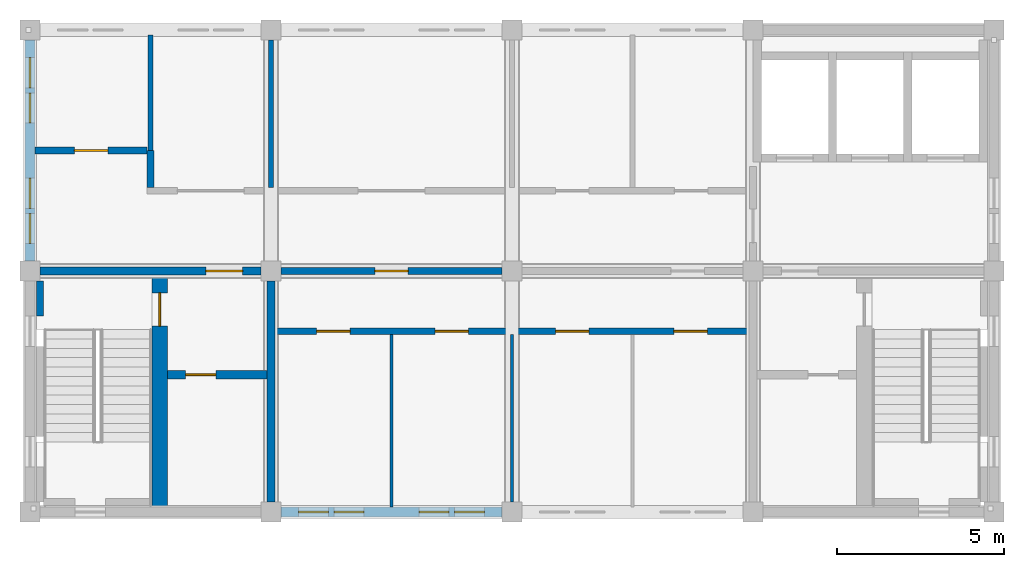
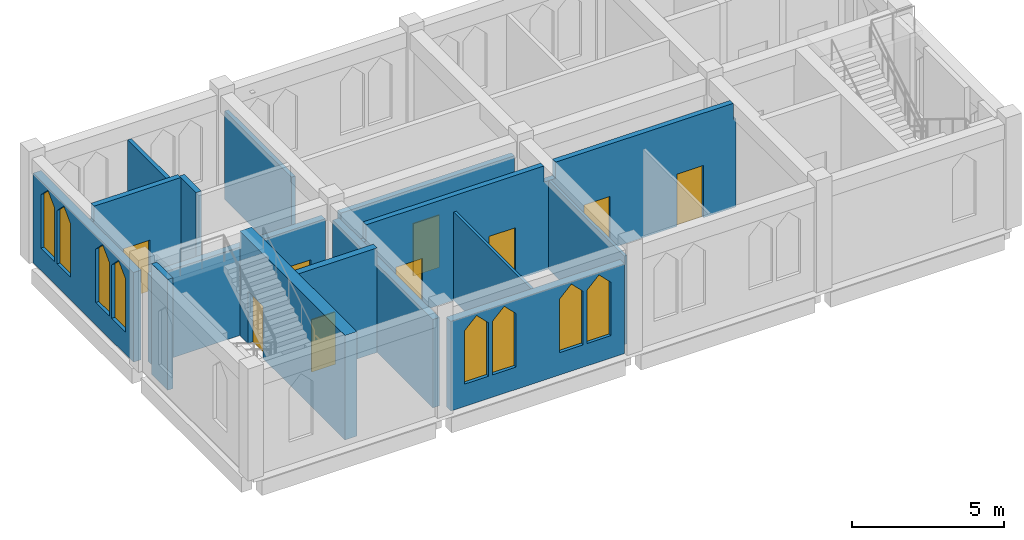
# One storey, part 2 of 6: 15 walls, 9 doors, 8 windows, 17 openings.
"""IFC4 building model written with IfcOpenShell, lengths in metres."""

from ifc_helpers import new_model, si_unit, direction, frame, frame_2d, origin, place, context, subcontext, project, spatial, polyline, rectangle, outline, extrude, material, layer, layer_set, type_object, element, fill, save


model = new_model("IFC4")

# Units and contexts
model_context = context("Model", 3, precision=1e-05, world=origin(), true_north=direction((0.0, 1.0)))
body_context = subcontext(model_context, "Body", "Model", "MODEL_VIEW")
ifc_project = project(units=[si_unit("LENGTHUNIT", "METRE"), si_unit("AREAUNIT", "SQUARE_METRE"), si_unit("VOLUMEUNIT", "CUBIC_METRE"), si_unit("PLANEANGLEUNIT", "RADIAN"), si_unit("MASSUNIT", "GRAM", prefix="KILO")], contexts=[model_context])

# Site, building, storey
site_placement = place(None, origin())
site = spatial("IfcSite", under=ifc_project, at=site_placement, CompositionType="ELEMENT")
building_placement = place(site_placement, origin())
building = spatial("IfcBuilding", under=site, at=building_placement, Name="Silangan Lancet Faculty of Sciences", CompositionType="ELEMENT")
storey_placement = place(building_placement, frame((0.0, 0.0, 76.800048828125)))
storey = spatial("IfcBuildingStorey", under=building, at=storey_placement, Name="L16", CompositionType="ELEMENT", Elevation=76.800048828125)

# Wall, openings, windows
ifc_material_1 = material(Name="Concrete C40/50", Category="concrete")
ifc_layer_1 = layer(ifc_material_1, 0.300048828125)
ifc_layer_set_1 = layer_set([ifc_layer_1], Name="Concrete C40/50")
wall_type_1 = type_object("IfcWallType", Name="EW7 Rendered attic wall", PredefinedType="STANDARD", material=ifc_layer_set_1)
wall_1_placement = place(storey_placement, frame((0.0, 7.5, 0.0), z_axis=(0.0, 0.0, 1.0), x_axis=(0.0, 1.0, 0.0)))
wall_1 = element("IfcWall", 1, at=wall_1_placement, inside=storey, type_object=wall_type_1, Name="EW-L16-W-ST-U-01", PredefinedType="STANDARD", context=body_context, shape_type="SweptSolid", body=[
    extrude(rectangle(XDim=6.60009765625, YDim=0.300048828125, at=frame_2d((3.300048828125, 0.0))), origin(), (0.0, 0.0, 1.0), 3.599853515625),
])
opening_1_placement = place(wall_1_placement, frame((0.52490234375, 0.0, 0.89990234375)))
opening_1 = element("IfcOpeningElement", 2, at=opening_1_placement, cuts=wall_1, Name="Opening W25", PredefinedType="OPENING", context=body_context, shape_type="SweptSolid", body=[
    extrude(outline(polyline([(0.0, 0.0), (0.89990234375, 0.0), (0.89990234375, 2.150146484375), (0.449951171875, 2.60009765625), (0.0, 2.150146484375), (0.0, 0.0)])), frame((0.0, 0.159912109375, 0.0), z_axis=(0.0, -1.0, 0.0), x_axis=(1.0, 0.0, 0.0)), (0.0, 0.0, 1.0), 0.320068359375),
])
opening_2_placement = place(wall_1_placement, frame((1.574951171875, 0.0, 0.89990234375)))
opening_2 = element("IfcOpeningElement", 3, at=opening_2_placement, cuts=wall_1, Name="Opening W25", PredefinedType="OPENING", context=body_context, shape_type="SweptSolid", body=[
    extrude(outline(polyline([(0.0, 0.0), (0.89990234375, 0.0), (0.89990234375, 2.150146484375), (0.449951171875, 2.60009765625), (0.0, 2.150146484375), (0.0, 0.0)])), frame((0.0, 0.159912109375, 0.0), z_axis=(0.0, -1.0, 0.0), x_axis=(1.0, 0.0, 0.0)), (0.0, 0.0, 1.0), 0.320068359375),
])
opening_3_placement = place(wall_1_placement, frame((4.125, 0.0, 0.89990234375)))
opening_3 = element("IfcOpeningElement", 4, at=opening_3_placement, cuts=wall_1, Name="Opening W25", PredefinedType="OPENING", context=body_context, shape_type="SweptSolid", body=[
    extrude(outline(polyline([(0.0, 0.0), (0.89990234375, 0.0), (0.89990234375, 2.150146484375), (0.449951171875, 2.60009765625), (0.0, 2.150146484375), (0.0, 0.0)])), frame((0.0, 0.159912109375, 0.0), z_axis=(0.0, -1.0, 0.0), x_axis=(1.0, 0.0, 0.0)), (0.0, 0.0, 1.0), 0.320068359375),
])
opening_4_placement = place(wall_1_placement, frame((5.175048828125, 0.0, 0.89990234375)))
opening_4 = element("IfcOpeningElement", 5, at=opening_4_placement, cuts=wall_1, Name="Opening W25", PredefinedType="OPENING", context=body_context, shape_type="SweptSolid", body=[
    extrude(outline(polyline([(0.0, 0.0), (0.89990234375, 0.0), (0.89990234375, 2.150146484375), (0.449951171875, 2.60009765625), (0.0, 2.150146484375), (0.0, 0.0)])), frame((0.0, 0.159912109375, 0.0), z_axis=(0.0, -1.0, 0.0), x_axis=(1.0, 0.0, 0.0)), (0.0, 0.0, 1.0), 0.320068359375),
])
ifc_material_2 = material(Name="Aluminium frame, laminated double glazing", Category="aluminium")
window_type = type_object("IfcWindowType", Name="W25 Lancet window 900 x 2600", PartitioningType="SINGLE_PANEL", PredefinedType="WINDOW", material=ifc_material_2)
window_1_placement = place(opening_1_placement, origin())
window_1 = element("IfcWindow", 6, at=window_1_placement, inside=storey, type_object=window_type, Name="WIN-L16-W-ST-U-01a1", OverallHeight=2.60009765625, OverallWidth=0.89990234375, PartitioningType="SINGLE_PANEL", PredefinedType="WINDOW", context=body_context, shape_type="SweptSolid", body=[
    extrude(outline(polyline([(0.0, 0.0), (0.89990234375, 0.0), (0.89990234375, 2.150146484375), (0.449951171875, 2.60009765625), (0.0, 2.150146484375), (0.0, 0.0)])), frame((0.0, 0.030029296875, 0.0), z_axis=(0.0, -1.0, 0.0), x_axis=(1.0, 0.0, 0.0)), (0.0, 0.0, 1.0), 0.06005859375),
])
fill(opening_1, window_1)
window_2_placement = place(opening_2_placement, origin())
window_2 = element("IfcWindow", 7, at=window_2_placement, inside=storey, type_object=window_type, Name="WIN-L16-W-ST-U-01a2", OverallHeight=2.60009765625, OverallWidth=0.89990234375, PartitioningType="SINGLE_PANEL", PredefinedType="WINDOW", context=body_context, shape_type="SweptSolid", body=[
    extrude(outline(polyline([(0.0, 0.0), (0.89990234375, 0.0), (0.89990234375, 2.150146484375), (0.449951171875, 2.60009765625), (0.0, 2.150146484375), (0.0, 0.0)])), frame((0.0, 0.030029296875, 0.0), z_axis=(0.0, -1.0, 0.0), x_axis=(1.0, 0.0, 0.0)), (0.0, 0.0, 1.0), 0.06005859375),
])
fill(opening_2, window_2)
window_3_placement = place(opening_3_placement, origin())
window_3 = element("IfcWindow", 8, at=window_3_placement, inside=storey, type_object=window_type, Name="WIN-L16-W-ST-U-01b1", OverallHeight=2.60009765625, OverallWidth=0.89990234375, PartitioningType="SINGLE_PANEL", PredefinedType="WINDOW", context=body_context, shape_type="SweptSolid", body=[
    extrude(outline(polyline([(0.0, 0.0), (0.89990234375, 0.0), (0.89990234375, 2.150146484375), (0.449951171875, 2.60009765625), (0.0, 2.150146484375), (0.0, 0.0)])), frame((0.0, 0.030029296875, 0.0), z_axis=(0.0, -1.0, 0.0), x_axis=(1.0, 0.0, 0.0)), (0.0, 0.0, 1.0), 0.06005859375),
])
fill(opening_3, window_3)
window_4_placement = place(opening_4_placement, origin())
window_4 = element("IfcWindow", 9, at=window_4_placement, inside=storey, type_object=window_type, Name="WIN-L16-W-ST-U-01b2", OverallHeight=2.60009765625, OverallWidth=0.89990234375, PartitioningType="SINGLE_PANEL", PredefinedType="WINDOW", context=body_context, shape_type="SweptSolid", body=[
    extrude(outline(polyline([(0.0, 0.0), (0.89990234375, 0.0), (0.89990234375, 2.150146484375), (0.449951171875, 2.60009765625), (0.0, 2.150146484375), (0.0, 0.0)])), frame((0.0, 0.030029296875, 0.0), z_axis=(0.0, -1.0, 0.0), x_axis=(1.0, 0.0, 0.0)), (0.0, 0.0, 1.0), 0.06005859375),
])
fill(opening_4, window_4)

wall_2_placement = place(storey_placement, frame((7.5, 0.0, 0.0), z_axis=(0.0, 0.0, 1.0), x_axis=(1.0, 0.0, 0.0)))
wall_2 = element("IfcWall", 10, at=wall_2_placement, inside=storey, type_object=wall_type_1, Name="EW-L16-S-ST-01", PredefinedType="STANDARD", context=body_context, shape_type="SweptSolid", body=[
    extrude(rectangle(XDim=6.60009765625, YDim=0.300048828125, at=frame_2d((3.300048828125, 0.0))), origin(), (0.0, 0.0, 1.0), 3.599853515625),
])
opening_5_placement = place(wall_2_placement, frame((0.52490234375, 0.0, 0.89990234375)))
opening_5 = element("IfcOpeningElement", 11, at=opening_5_placement, cuts=wall_2, Name="Opening W25", PredefinedType="OPENING", context=body_context, shape_type="SweptSolid", body=[
    extrude(outline(polyline([(0.0, 0.0), (0.89990234375, 0.0), (0.89990234375, 2.150146484375), (0.449951171875, 2.60009765625), (0.0, 2.150146484375), (0.0, 0.0)])), frame((0.0, 0.159912109375, 0.0), z_axis=(0.0, -1.0, 0.0), x_axis=(1.0, 0.0, 0.0)), (0.0, 0.0, 1.0), 0.320068359375),
])
opening_6_placement = place(wall_2_placement, frame((1.574951171875, 0.0, 0.89990234375)))
opening_6 = element("IfcOpeningElement", 12, at=opening_6_placement, cuts=wall_2, Name="Opening W25", PredefinedType="OPENING", context=body_context, shape_type="SweptSolid", body=[
    extrude(outline(polyline([(0.0, 0.0), (0.89990234375, 0.0), (0.89990234375, 2.150146484375), (0.449951171875, 2.60009765625), (0.0, 2.150146484375), (0.0, 0.0)])), frame((0.0, 0.159912109375, 0.0), z_axis=(0.0, -1.0, 0.0), x_axis=(1.0, 0.0, 0.0)), (0.0, 0.0, 1.0), 0.320068359375),
])
opening_7_placement = place(wall_2_placement, frame((4.125, 0.0, 0.89990234375)))
opening_7 = element("IfcOpeningElement", 13, at=opening_7_placement, cuts=wall_2, Name="Opening W25", PredefinedType="OPENING", context=body_context, shape_type="SweptSolid", body=[
    extrude(outline(polyline([(0.0, 0.0), (0.89990234375, 0.0), (0.89990234375, 2.150146484375), (0.449951171875, 2.60009765625), (0.0, 2.150146484375), (0.0, 0.0)])), frame((0.0, 0.159912109375, 0.0), z_axis=(0.0, -1.0, 0.0), x_axis=(1.0, 0.0, 0.0)), (0.0, 0.0, 1.0), 0.320068359375),
])
opening_8_placement = place(wall_2_placement, frame((5.175048828125, 0.0, 0.89990234375)))
opening_8 = element("IfcOpeningElement", 14, at=opening_8_placement, cuts=wall_2, Name="Opening W25", PredefinedType="OPENING", context=body_context, shape_type="SweptSolid", body=[
    extrude(outline(polyline([(0.0, 0.0), (0.89990234375, 0.0), (0.89990234375, 2.150146484375), (0.449951171875, 2.60009765625), (0.0, 2.150146484375), (0.0, 0.0)])), frame((0.0, 0.159912109375, 0.0), z_axis=(0.0, -1.0, 0.0), x_axis=(1.0, 0.0, 0.0)), (0.0, 0.0, 1.0), 0.320068359375),
])
window_5_placement = place(opening_5_placement, origin())
window_5 = element("IfcWindow", 15, at=window_5_placement, inside=storey, type_object=window_type, Name="WIN-L16-S-ST-01a1", OverallHeight=2.60009765625, OverallWidth=0.89990234375, PartitioningType="SINGLE_PANEL", PredefinedType="WINDOW", context=body_context, shape_type="SweptSolid", body=[
    extrude(outline(polyline([(0.0, 0.0), (0.89990234375, 0.0), (0.89990234375, 2.150146484375), (0.449951171875, 2.60009765625), (0.0, 2.150146484375), (0.0, 0.0)])), frame((0.0, 0.030029296875, 0.0), z_axis=(0.0, -1.0, 0.0), x_axis=(1.0, 0.0, 0.0)), (0.0, 0.0, 1.0), 0.06005859375),
])
fill(opening_5, window_5)
window_6_placement = place(opening_6_placement, origin())
window_6 = element("IfcWindow", 16, at=window_6_placement, inside=storey, type_object=window_type, Name="WIN-L16-S-ST-01a2", OverallHeight=2.60009765625, OverallWidth=0.89990234375, PartitioningType="SINGLE_PANEL", PredefinedType="WINDOW", context=body_context, shape_type="SweptSolid", body=[
    extrude(outline(polyline([(0.0, 0.0), (0.89990234375, 0.0), (0.89990234375, 2.150146484375), (0.449951171875, 2.60009765625), (0.0, 2.150146484375), (0.0, 0.0)])), frame((0.0, 0.030029296875, 0.0), z_axis=(0.0, -1.0, 0.0), x_axis=(1.0, 0.0, 0.0)), (0.0, 0.0, 1.0), 0.06005859375),
])
fill(opening_6, window_6)
window_7_placement = place(opening_7_placement, origin())
window_7 = element("IfcWindow", 17, at=window_7_placement, inside=storey, type_object=window_type, Name="WIN-L16-S-ST-01b1", OverallHeight=2.60009765625, OverallWidth=0.89990234375, PartitioningType="SINGLE_PANEL", PredefinedType="WINDOW", context=body_context, shape_type="SweptSolid", body=[
    extrude(outline(polyline([(0.0, 0.0), (0.89990234375, 0.0), (0.89990234375, 2.150146484375), (0.449951171875, 2.60009765625), (0.0, 2.150146484375), (0.0, 0.0)])), frame((0.0, 0.030029296875, 0.0), z_axis=(0.0, -1.0, 0.0), x_axis=(1.0, 0.0, 0.0)), (0.0, 0.0, 1.0), 0.06005859375),
])
fill(opening_7, window_7)
window_8_placement = place(opening_8_placement, origin())
window_8 = element("IfcWindow", 18, at=window_8_placement, inside=storey, type_object=window_type, Name="WIN-L16-S-ST-01b2", OverallHeight=2.60009765625, OverallWidth=0.89990234375, PartitioningType="SINGLE_PANEL", PredefinedType="WINDOW", context=body_context, shape_type="SweptSolid", body=[
    extrude(outline(polyline([(0.0, 0.0), (0.89990234375, 0.0), (0.89990234375, 2.150146484375), (0.449951171875, 2.60009765625), (0.0, 2.150146484375), (0.0, 0.0)])), frame((0.0, 0.030029296875, 0.0), z_axis=(0.0, -1.0, 0.0), x_axis=(1.0, 0.0, 0.0)), (0.0, 0.0, 1.0), 0.06005859375),
])
fill(opening_8, window_8)

# Wall, openings, doors
ifc_material_3 = material(Name="Hollow block masonry fm 7 MPa", Category="masonry")
ifc_layer_2 = layer(ifc_material_3, 0.199951171875)
ifc_layer_set_2 = layer_set([ifc_layer_2], Name="Hollow block masonry fm 7 MPa")
wall_type_2 = type_object("IfcWallType", Name="Interior wall PW1 Corridor wall CHB 200", PredefinedType="PARTITIONING", material=ifc_layer_set_2)
wall_3_placement = place(storey_placement, frame((7.324951171875, 5.39990234375, 0.0), z_axis=(0.0, 0.0, 1.0), x_axis=(1.0, 0.0, 0.0)))
wall_3 = element("IfcWall", 19, at=wall_3_placement, inside=storey, type_object=wall_type_2, Name="Corridor wall CHB 200", PredefinedType="PARTITIONING", context=body_context, shape_type="SweptSolid", body=[
    extrude(outline(polyline([(0.0, 0.0), (14.150146484375, 0.0), (14.150146484375, 3.550048828125), (14.050048828125, 3.550048828125), (14.050048828125, 4.199951171875), (7.300048828125, 4.199951171875), (7.300048828125, 3.550048828125), (6.85009765625, 3.550048828125), (6.85009765625, 4.199951171875), (0.10009765625, 4.199951171875), (0.10009765625, 3.550048828125), (0.0, 3.550048828125), (0.0, 0.0)])), frame((0.0, 0.10009765625, 0.0), z_axis=(0.0, -1.0, 0.0), x_axis=(1.0, 0.0, 0.0)), (0.0, 0.0, 1.0), 0.199951171875),
])
opening_9_placement = place(wall_3_placement, frame((1.237548828125, 0.0, 0.0)))
opening_9 = element("IfcOpeningElement", 20, at=opening_9_placement, cuts=wall_3, Name="Opening L16-004", PredefinedType="OPENING", context=body_context, shape_type="SweptSolid", body=[
    extrude(rectangle(XDim=1.0, YDim=2.10009765625, at=frame_2d((0.5, 1.050048828125))), frame((0.0, 0.10986328125, 0.0), z_axis=(0.0, -1.0, 0.0), x_axis=(1.0, 0.0, 0.0)), (0.0, 0.0, 1.0), 0.219970703125),
])
opening_10_placement = place(wall_3_placement, frame((4.77490234375, 0.0, 0.0)))
opening_10 = element("IfcOpeningElement", 21, at=opening_10_placement, cuts=wall_3, Name="Opening L16-005", PredefinedType="OPENING", context=body_context, shape_type="SweptSolid", body=[
    extrude(rectangle(XDim=1.0, YDim=2.10009765625, at=frame_2d((0.5, 1.050048828125))), frame((0.0, 0.10986328125, 0.0), z_axis=(0.0, -1.0, 0.0), x_axis=(1.0, 0.0, 0.0)), (0.0, 0.0, 1.0), 0.219970703125),
])
opening_11_placement = place(wall_3_placement, frame((8.375, 0.0, 0.0)))
opening_11 = element("IfcOpeningElement", 22, at=opening_11_placement, cuts=wall_3, Name="Opening L16-006", PredefinedType="OPENING", context=body_context, shape_type="SweptSolid", body=[
    extrude(rectangle(XDim=1.0, YDim=2.10009765625, at=frame_2d((0.5, 1.050048828125))), frame((0.0, 0.10986328125, 0.0), z_axis=(0.0, -1.0, 0.0), x_axis=(1.0, 0.0, 0.0)), (0.0, 0.0, 1.0), 0.219970703125),
])
opening_12_placement = place(wall_3_placement, frame((11.91259765625, 0.0, 0.0)))
opening_12 = element("IfcOpeningElement", 23, at=opening_12_placement, cuts=wall_3, Name="Opening L16-007", PredefinedType="OPENING", context=body_context, shape_type="SweptSolid", body=[
    extrude(rectangle(XDim=1.0, YDim=2.10009765625, at=frame_2d((0.5, 1.050048828125))), frame((0.0, 0.10986328125, 0.0), z_axis=(0.0, -1.0, 0.0), x_axis=(1.0, 0.0, 0.0)), (0.0, 0.0, 1.0), 0.219970703125),
])
ifc_material_4 = material(Name="Steel fire door set", Category="steel")
door_type_1 = type_object("IfcDoorType", Name="Door D1 Single leaf fire door 1000 x 2100", OperationType="SINGLE_SWING_LEFT", PredefinedType="DOOR", material=ifc_material_4)
door_1_placement = place(opening_9_placement, frame((1.0, 0.0, 0.0), z_axis=(0.0, 0.0, 1.0), x_axis=(-1.0, 0.0, 0.0)))
door_1 = element("IfcDoor", 24, at=door_1_placement, inside=storey, type_object=door_type_1, Name="Single leaf fire door 1000 x 2100", OperationType="SINGLE_SWING_LEFT", OverallHeight=2.10009765625, OverallWidth=1.0, PredefinedType="DOOR", context=body_context, shape_type="SweptSolid", body=[
    extrude(rectangle(XDim=1.0, YDim=2.10009765625, at=frame_2d((0.5, 1.050048828125))), frame((0.0, 0.025146484375, 0.0), z_axis=(0.0, -1.0, 0.0), x_axis=(1.0, 0.0, 0.0)), (0.0, 0.0, 1.0), 0.050048828125),
])
fill(opening_9, door_1)
door_2_placement = place(opening_10_placement, frame((1.0, 0.0, 0.0), z_axis=(0.0, 0.0, 1.0), x_axis=(-1.0, 0.0, 0.0)))
door_2 = element("IfcDoor", 25, at=door_2_placement, inside=storey, type_object=door_type_1, Name="Single leaf fire door 1000 x 2100", OperationType="SINGLE_SWING_RIGHT", OverallHeight=2.10009765625, OverallWidth=1.0, PredefinedType="DOOR", context=body_context, shape_type="SweptSolid", body=[
    extrude(rectangle(XDim=1.0, YDim=2.10009765625, at=frame_2d((0.5, 1.050048828125))), frame((0.0, 0.025146484375, 0.0), z_axis=(0.0, -1.0, 0.0), x_axis=(1.0, 0.0, 0.0)), (0.0, 0.0, 1.0), 0.050048828125),
])
fill(opening_10, door_2)
door_3_placement = place(opening_11_placement, frame((1.0, 0.0, 0.0), z_axis=(0.0, 0.0, 1.0), x_axis=(-1.0, 0.0, 0.0)))
door_3 = element("IfcDoor", 26, at=door_3_placement, inside=storey, type_object=door_type_1, Name="Single leaf fire door 1000 x 2100", OperationType="SINGLE_SWING_LEFT", OverallHeight=2.10009765625, OverallWidth=1.0, PredefinedType="DOOR", context=body_context, shape_type="SweptSolid", body=[
    extrude(rectangle(XDim=1.0, YDim=2.10009765625, at=frame_2d((0.5, 1.050048828125))), frame((0.0, 0.025146484375, 0.0), z_axis=(0.0, -1.0, 0.0), x_axis=(1.0, 0.0, 0.0)), (0.0, 0.0, 1.0), 0.050048828125),
])
fill(opening_11, door_3)
door_4_placement = place(opening_12_placement, frame((1.0, 0.0, 0.0), z_axis=(0.0, 0.0, 1.0), x_axis=(-1.0, 0.0, 0.0)))
door_4 = element("IfcDoor", 27, at=door_4_placement, inside=storey, type_object=door_type_1, Name="Single leaf fire door 1000 x 2100", OperationType="SINGLE_SWING_RIGHT", OverallHeight=2.10009765625, OverallWidth=1.0, PredefinedType="DOOR", context=body_context, shape_type="SweptSolid", body=[
    extrude(rectangle(XDim=1.0, YDim=2.10009765625, at=frame_2d((0.5, 1.050048828125))), frame((0.0, 0.025146484375, 0.0), z_axis=(0.0, -1.0, 0.0), x_axis=(1.0, 0.0, 0.0)), (0.0, 0.0, 1.0), 0.050048828125),
])
fill(opening_12, door_4)

# Wall, opening, door
wall_4_placement = place(storey_placement, frame((7.5, 7.199951171875, 0.0), z_axis=(0.0, 0.0, 1.0), x_axis=(1.0, 0.0, 0.0)))
wall_4 = element("IfcWall", 28, at=wall_4_placement, inside=storey, type_object=wall_type_2, Name="Corridor wall CHB 200", PredefinedType="PARTITIONING", context=body_context, shape_type="SweptSolid", body=[
    extrude(rectangle(XDim=6.60009765625, YDim=0.199951171875, at=frame_2d((3.300048828125, 0.0))), origin(), (0.0, 0.0, 1.0), 3.550048828125),
])
opening_13_placement = place(wall_4_placement, frame((2.800048828125, 0.0, 0.0)))
opening_13 = element("IfcOpeningElement", 29, at=opening_13_placement, cuts=wall_4, Name="Opening L16-002", PredefinedType="OPENING", context=body_context, shape_type="SweptSolid", body=[
    extrude(rectangle(XDim=1.0, YDim=2.10009765625, at=frame_2d((0.5, 1.050048828125))), frame((0.0, 0.10986328125, 0.0), z_axis=(0.0, -1.0, 0.0), x_axis=(1.0, 0.0, 0.0)), (0.0, 0.0, 1.0), 0.219970703125),
])
door_5_placement = place(opening_13_placement, frame((1.0, 0.0, 0.0), z_axis=(0.0, 0.0, 1.0), x_axis=(-1.0, 0.0, 0.0)))
door_5 = element("IfcDoor", 30, at=door_5_placement, inside=storey, type_object=door_type_1, Name="Single leaf fire door 1000 x 2100", OperationType="SINGLE_SWING_LEFT", OverallHeight=2.10009765625, OverallWidth=1.0, PredefinedType="DOOR", context=body_context, shape_type="SweptSolid", body=[
    extrude(rectangle(XDim=1.0, YDim=2.10009765625, at=frame_2d((0.5, 1.050048828125))), frame((0.0, 0.025146484375, 0.0), z_axis=(0.0, -1.0, 0.0), x_axis=(1.0, 0.0, 0.0)), (0.0, 0.0, 1.0), 0.050048828125),
])
fill(opening_13, door_5)

wall_5_placement = place(storey_placement, frame((0.14990234375, 10.800048828125, 0.0), z_axis=(0.0, 0.0, 1.0), x_axis=(1.0, 0.0, 0.0)))
wall_5 = element("IfcWall", 31, at=wall_5_placement, inside=storey, type_object=wall_type_2, Name="Corridor wall CHB 200", PredefinedType="PARTITIONING", context=body_context, shape_type="SweptSolid", body=[
    extrude(outline(polyline([(0.0, 0.0), (3.35009765625, 0.0), (3.35009765625, 4.199951171875), (0.050048828125, 4.199951171875), (0.050048828125, 3.599853515625), (0.0, 3.599853515625), (0.0, 0.0)])), frame((0.0, 0.10009765625, 0.0), z_axis=(0.0, -1.0, 0.0), x_axis=(1.0, 0.0, 0.0)), (0.0, 0.0, 1.0), 0.199951171875),
])
opening_14_placement = place(wall_5_placement, frame((1.175048828125, 0.0, 0.0)))
opening_14 = element("IfcOpeningElement", 32, at=opening_14_placement, cuts=wall_5, Name="Opening L16-009", PredefinedType="OPENING", context=body_context, shape_type="SweptSolid", body=[
    extrude(rectangle(XDim=1.0, YDim=2.10009765625, at=frame_2d((0.5, 1.050048828125))), frame((0.0, 0.10986328125, 0.0), z_axis=(0.0, -1.0, 0.0), x_axis=(1.0, 0.0, 0.0)), (0.0, 0.0, 1.0), 0.219970703125),
])
door_6_placement = place(opening_14_placement, origin())
door_6 = element("IfcDoor", 33, at=door_6_placement, inside=storey, type_object=door_type_1, Name="Single leaf fire door 1000 x 2100", OperationType="SINGLE_SWING_LEFT", OverallHeight=2.10009765625, OverallWidth=1.0, PredefinedType="DOOR", context=body_context, shape_type="SweptSolid", body=[
    extrude(rectangle(XDim=1.0, YDim=2.10009765625, at=frame_2d((0.5, 1.050048828125))), frame((0.0, 0.02490234375, 0.0), z_axis=(0.0, -1.0, 0.0), x_axis=(1.0, 0.0, 0.0)), (0.0, 0.0, 1.0), 0.050048828125),
])
fill(opening_14, door_6)

# Walls
wall_6_placement = place(storey_placement, frame((3.60009765625, 9.699951171875, 0.0), z_axis=(0.0, 0.0, 1.0), x_axis=(0.0, 1.0, 0.0)))
element("IfcWall", 34, at=wall_6_placement, inside=storey, type_object=wall_type_2, Name="Corridor wall CHB 200", PredefinedType="PARTITIONING", context=body_context, shape_type="SweptSolid", body=[
    extrude(rectangle(XDim=1.10009765625, YDim=0.199951171875, at=frame_2d((0.550048828125, 0.0))), origin(), (0.0, 0.0, 1.0), 4.199951171875),
])
ifc_material_5 = material(Name="Hollow block masonry fm 7 MPa", Category="masonry")
ifc_layer_3 = layer(ifc_material_5, 0.14990234375)
ifc_layer_set_3 = layer_set([ifc_layer_3], Name="Hollow block masonry fm 7 MPa")
wall_type_3 = type_object("IfcWallType", Name="Interior wall PW3 Partition CHB 150", PredefinedType="PARTITIONING", material=ifc_layer_set_3)
wall_7_placement = place(storey_placement, frame((3.60009765625, 10.800048828125, 0.0), z_axis=(0.0, 0.0, 1.0), x_axis=(0.0, 1.0, 0.0)))
element("IfcWall", 35, at=wall_7_placement, inside=storey, type_object=wall_type_3, Name="Partition CHB 150", PredefinedType="PARTITIONING", context=body_context, shape_type="SweptSolid", body=[
    extrude(rectangle(XDim=3.449951171875, YDim=0.14990234375, at=frame_2d((1.72509765625, 0.0))), origin(), (0.0, 0.0, 1.0), 3.550048828125),
])
wall_8_placement = place(storey_placement, frame((7.199951171875, 9.699951171875, 0.0), z_axis=(0.0, 0.0, 1.0), x_axis=(0.0, 1.0, 0.0)))
element("IfcWall", 36, at=wall_8_placement, inside=storey, type_object=wall_type_3, Name="Partition CHB 150", PredefinedType="PARTITIONING", context=body_context, shape_type="SweptSolid", body=[
    extrude(rectangle(XDim=4.400146484375, YDim=0.14990234375, at=frame_2d((2.2001953125, 0.0))), origin(), (0.0, 0.0, 1.0), 3.550048828125),
])
ifc_material_6 = material(Name="Hollow block masonry fm 7 MPa", Category="masonry")
ifc_layer_4 = layer(ifc_material_6, 0.10009765625)
ifc_layer_set_4 = layer_set([ifc_layer_4], Name="Hollow block masonry fm 7 MPa")
wall_type_4 = type_object("IfcWallType", Name="Interior wall PW8 WC partition CHB 100", PredefinedType="PARTITIONING", material=ifc_layer_set_4)
wall_9_placement = place(storey_placement, frame((10.800048828125, 0.14990234375, 0.0), z_axis=(0.0, 0.0, 1.0), x_axis=(0.0, 1.0, 0.0)))
element("IfcWall", 37, at=wall_9_placement, inside=storey, type_object=wall_type_4, Name="WC partition CHB 100", PredefinedType="PARTITIONING", context=body_context, shape_type="SweptSolid", body=[
    extrude(rectangle(XDim=5.150146484375, YDim=0.10009765625, at=frame_2d((2.5751953125, 0.0))), origin(), (0.0, 0.0, 1.0), 3.550048828125),
])
wall_10_placement = place(storey_placement, frame((14.39990234375, 0.300048828125, 0.0), z_axis=(0.0, 0.0, 1.0), x_axis=(0.0, 1.0, 0.0)))
element("IfcWall", 38, at=wall_10_placement, inside=storey, type_object=wall_type_4, Name="WC partition CHB 100", PredefinedType="PARTITIONING", context=body_context, shape_type="SweptSolid", body=[
    extrude(rectangle(XDim=5.0, YDim=0.10009765625, at=frame_2d((2.5, 0.0))), origin(), (0.0, 0.0, 1.0), 3.550048828125),
])

# Wall, opening, door
ifc_material_7 = material(Name="Concrete C40/50", Category="concrete")
ifc_layer_5 = layer(ifc_material_7, 0.449951171875)
ifc_layer_set_5 = layer_set([ifc_layer_5], Name="Concrete C40/50")
wall_type_5 = type_object("IfcWallType", Name="TURRET CORE WALL RC 450", PredefinedType="SHEAR", material=ifc_layer_set_5)
wall_11_placement = place(storey_placement, frame((3.875, 0.14990234375, 0.0), z_axis=(0.0, 0.0, 1.0), x_axis=(0.0, 1.0, 0.0)))
wall_11 = element("IfcWall", 39, at=wall_11_placement, inside=storey, type_object=wall_type_5, Name="WALL-L16-ST-A-WELL", PredefinedType="SHEAR", context=body_context, shape_type="SweptSolid", body=[
    extrude(rectangle(XDim=6.925048828125, YDim=0.449951171875, at=frame_2d((3.46240234375, 0.0))), origin(), (0.0, 0.0, 1.0), 4.199951171875),
])
opening_15_placement = place(wall_11_placement, frame((5.39990234375, 0.0, 0.0)))
opening_15 = element("IfcOpeningElement", 40, at=opening_15_placement, cuts=wall_11, Name="Opening L16-701", PredefinedType="OPENING", context=body_context, shape_type="SweptSolid", body=[
    extrude(rectangle(XDim=1.0, YDim=2.10009765625, at=frame_2d((0.5, 1.050048828125))), frame((0.0, 0.23486328125, 0.0), z_axis=(0.0, -1.0, 0.0), x_axis=(1.0, 0.0, 0.0)), (0.0, 0.0, 1.0), 0.469970703125),
])
ifc_material_8 = material(Name="Steel fire door set", Category="steel")
door_type_2 = type_object("IfcDoorType", Name="D71 Stair enclosure door 1000x2100", OperationType="SINGLE_SWING_LEFT", PredefinedType="DOOR", material=ifc_material_8)
door_7_placement = place(opening_15_placement, origin())
door_7 = element("IfcDoor", 41, at=door_7_placement, inside=storey, type_object=door_type_2, Name="Stair enclosure door ST-A L16", OperationType="SINGLE_SWING_RIGHT", OverallHeight=2.10009765625, OverallWidth=1.0, PredefinedType="DOOR", context=body_context, shape_type="SweptSolid", body=[
    extrude(rectangle(XDim=1.0, YDim=2.10009765625, at=frame_2d((0.5, 1.050048828125))), frame((0.0, 0.02490234375, 0.0), z_axis=(0.0, -1.0, 0.0), x_axis=(1.0, 0.0, 0.0)), (0.0, 0.0, 1.0), 0.050048828125),
])
fill(opening_15, door_7)

# Wall
ifc_material_9 = material(Name="Concrete C40/50", Category="concrete")
ifc_layer_6 = layer(ifc_material_9, 0.199951171875)
ifc_layer_set_6 = layer_set([ifc_layer_6], Name="Concrete C40/50")
wall_type_6 = type_object("IfcWallType", Name="TURRET LINING WALL RC 200", PredefinedType="SHEAR", material=ifc_layer_set_6)
wall_12_placement = place(storey_placement, frame((0.300048828125, 5.85009765625, -0.25), z_axis=(0.0, 0.0, 1.0), x_axis=(0.0, 1.0, 0.0)))
element("IfcWall", 42, at=wall_12_placement, inside=storey, type_object=wall_type_6, Name="WALL-L16-ST-A-WL-3", PredefinedType="SHEAR", context=body_context, shape_type="SweptSolid", body=[
    extrude(rectangle(XDim=1.0498046875, YDim=0.199951171875, at=frame_2d((0.52490234375, 0.0))), origin(), (0.0, 0.0, 1.0), 4.449951171875),
])

# Wall, opening, door
ifc_material_10 = material(Name="Concrete C40/50", Category="concrete")
ifc_layer_7 = layer(ifc_material_10, 0.25)
ifc_layer_set_7 = layer_set([ifc_layer_7], Name="Concrete C40/50")
wall_type_7 = type_object("IfcWallType", Name="TURRET WALL RC 250", PredefinedType="SHEAR", material=ifc_layer_set_7)
wall_13_placement = place(storey_placement, frame((0.300048828125, 7.199951171875, 0.0), z_axis=(0.0, 0.0, 1.0), x_axis=(1.0, 0.0, 0.0)))
wall_13 = element("IfcWall", 43, at=wall_13_placement, inside=storey, type_object=wall_type_7, Name="WALL-L16-ST-A-V", PredefinedType="SHEAR", context=body_context, shape_type="SweptSolid", body=[
    extrude(rectangle(XDim=6.599853515625, YDim=0.25, at=frame_2d((3.2998046875, 0.0))), origin(), (0.0, 0.0, 1.0), 3.550048828125),
])
opening_16_placement = place(wall_13_placement, frame((4.949951171875, 0.0, 0.0)))
opening_16 = element("IfcOpeningElement", 44, at=opening_16_placement, cuts=wall_13, Name="Opening L16-702", PredefinedType="OPENING", context=body_context, shape_type="SweptSolid", body=[
    extrude(rectangle(XDim=1.10009765625, YDim=2.10009765625, at=frame_2d((0.550048828125, 1.050048828125))), frame((0.0, 0.135009765625, 0.0), z_axis=(0.0, -1.0, 0.0), x_axis=(1.0, 0.0, 0.0)), (0.0, 0.0, 1.0), 0.27001953125),
])
ifc_material_11 = material(Name="Steel fire door set", Category="steel")
door_type_3 = type_object("IfcDoorType", Name="D70 Stair vestibule door 1100x2100", OperationType="SINGLE_SWING_LEFT", PredefinedType="DOOR", material=ifc_material_11)
door_8_placement = place(opening_16_placement, frame((1.10009765625, 0.0, 0.0), z_axis=(0.0, 0.0, 1.0), x_axis=(-1.0, 0.0, 0.0)))
door_8 = element("IfcDoor", 45, at=door_8_placement, inside=storey, type_object=door_type_3, Name="Stair vestibule door ST-A L16", OperationType="SINGLE_SWING_LEFT", OverallHeight=2.10009765625, OverallWidth=1.10009765625, PredefinedType="DOOR", context=body_context, shape_type="SweptSolid", body=[
    extrude(rectangle(XDim=1.10009765625, YDim=2.10009765625, at=frame_2d((0.550048828125, 1.050048828125))), frame((0.0, 0.025146484375, 0.0), z_axis=(0.0, -1.0, 0.0), x_axis=(1.0, 0.0, 0.0)), (0.0, 0.0, 1.0), 0.050048828125),
])
fill(opening_16, door_8)

# Wall
wall_14_placement = place(storey_placement, frame((7.199951171875, 0.300048828125, 0.0), z_axis=(0.0, 0.0, 1.0), x_axis=(0.0, 1.0, 0.0)))
element("IfcWall", 46, at=wall_14_placement, inside=storey, type_object=wall_type_7, Name="WALL-L16-ST-A-O", PredefinedType="SHEAR", context=body_context, shape_type="SweptSolid", body=[
    extrude(rectangle(XDim=6.599853515625, YDim=0.25, at=frame_2d((3.2998046875, 0.0))), origin(), (0.0, 0.0, 1.0), 3.550048828125),
])

# Wall, opening, door
wall_15_placement = place(storey_placement, frame((4.10009765625, 4.10009765625, 0.0), z_axis=(0.0, 0.0, 1.0), x_axis=(1.0, 0.0, 0.0)))
wall_15 = element("IfcWall", 47, at=wall_15_placement, inside=storey, type_object=wall_type_7, Name="WALL-L16-ST-A-RISER", PredefinedType="SHEAR", context=body_context, shape_type="SweptSolid", body=[
    extrude(rectangle(XDim=2.974853515625, YDim=0.25, at=frame_2d((1.4873046875, 0.0))), origin(), (0.0, 0.0, 1.0), 4.199951171875),
])
opening_17_placement = place(wall_15_placement, frame((0.550048828125, 0.0, 0.0)))
opening_17 = element("IfcOpeningElement", 48, at=opening_17_placement, cuts=wall_15, Name="Opening L16-703", PredefinedType="OPENING", context=body_context, shape_type="SweptSolid", body=[
    extrude(rectangle(XDim=0.89990234375, YDim=2.10009765625, at=frame_2d((0.449951171875, 1.050048828125))), frame((0.0, 0.135009765625, 0.0), z_axis=(0.0, -1.0, 0.0), x_axis=(1.0, 0.0, 0.0)), (0.0, 0.0, 1.0), 0.27001953125),
])
ifc_material_12 = material(Name="Steel fire door set", Category="steel")
door_type_4 = type_object("IfcDoorType", Name="D72 Riser access door 900x2100", OperationType="SINGLE_SWING_LEFT", PredefinedType="DOOR", material=ifc_material_12)
door_9_placement = place(opening_17_placement, frame((0.89990234375, 0.0, 0.0), z_axis=(0.0, 0.0, 1.0), x_axis=(-1.0, 0.0, 0.0)))
door_9 = element("IfcDoor", 49, at=door_9_placement, inside=storey, type_object=door_type_4, Name="Riser access door ST-A L16", OperationType="SINGLE_SWING_LEFT", OverallHeight=2.10009765625, OverallWidth=0.89990234375, PredefinedType="DOOR", context=body_context, shape_type="SweptSolid", body=[
    extrude(rectangle(XDim=0.89990234375, YDim=2.10009765625, at=frame_2d((0.449951171875, 1.050048828125))), frame((0.0, 0.025146484375, 0.0), z_axis=(0.0, -1.0, 0.0), x_axis=(1.0, 0.0, 0.0)), (0.0, 0.0, 1.0), 0.050048828125),
])
fill(opening_17, door_9)

save(model, "model.ifc")
